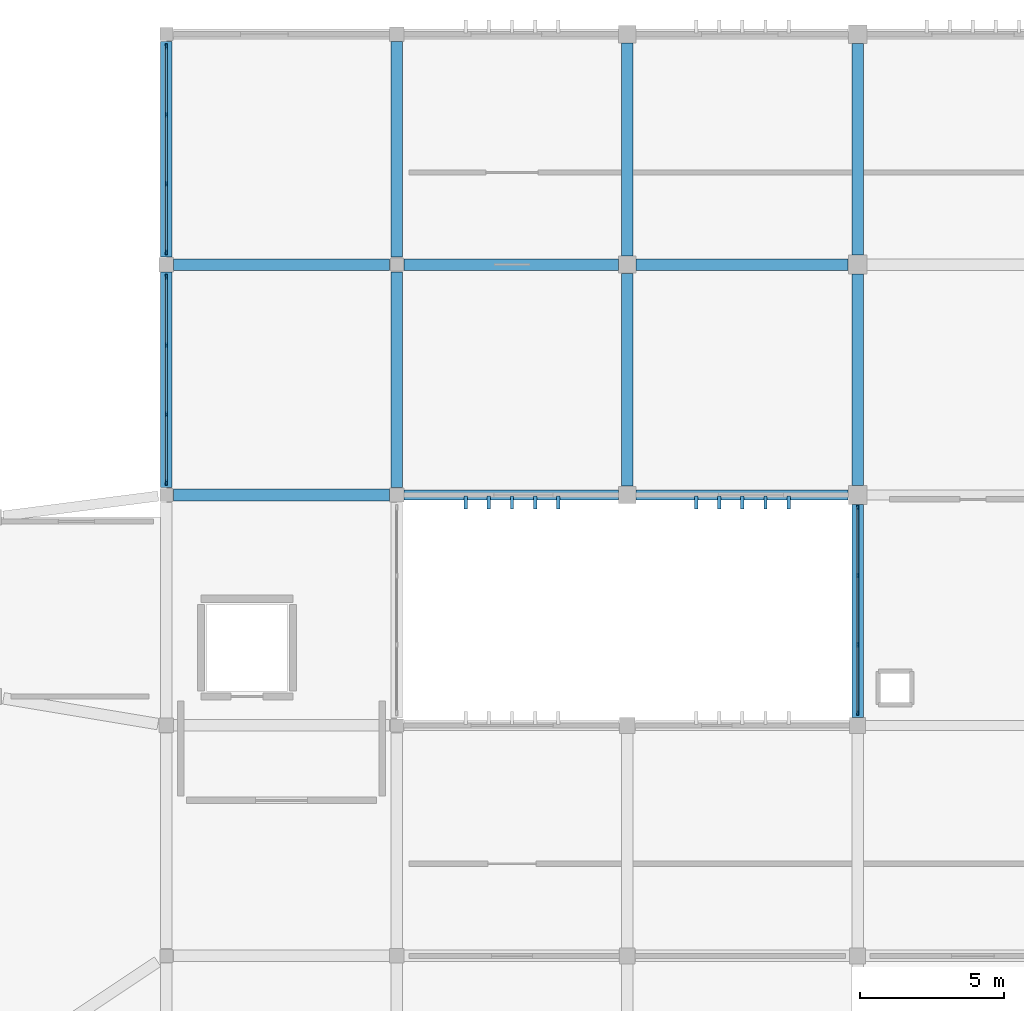
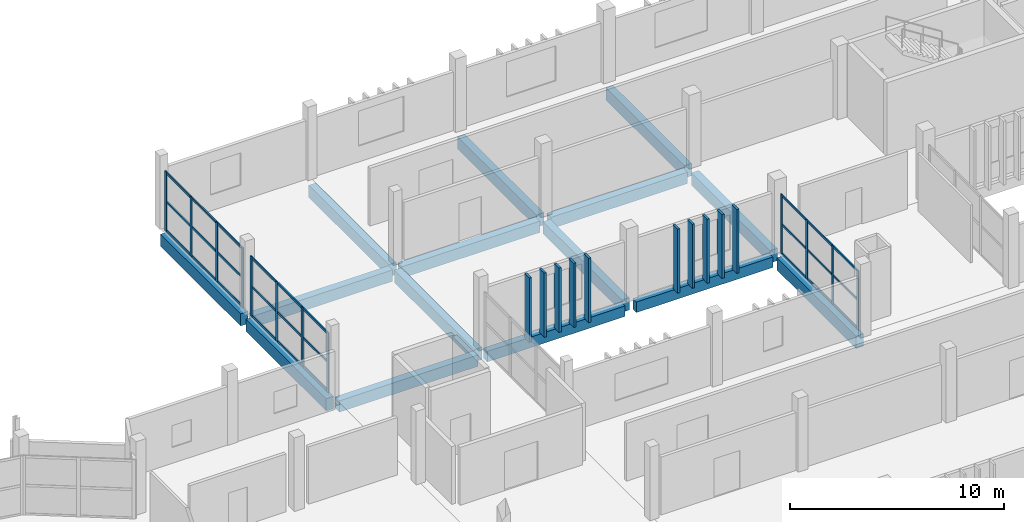
# One storey, part 14 of 63: 49 members, 15 beams, 3 elements without a shape of their own.
"""IFC4 building model written with IfcOpenShell, lengths in metres."""

from ifc_helpers import new_model, si_unit, direction, frame, origin, origin_2d, place, context, subcontext, project, spatial, rectangle, extrude, material, layer, layer_set, material_profile, profile_set, type_object, element, aggregate, save


model = new_model("IFC4")

# Units and contexts
model_context = context("Model", 3, precision=1e-05, world=origin(), true_north=direction((0.0, 1.0)))
body_context = subcontext(model_context, "Body", "Model", "MODEL_VIEW")
ifc_project = project(units=[si_unit("LENGTHUNIT", "METRE"), si_unit("AREAUNIT", "SQUARE_METRE"), si_unit("VOLUMEUNIT", "CUBIC_METRE"), si_unit("PLANEANGLEUNIT", "RADIAN"), si_unit("MASSUNIT", "GRAM", prefix="KILO")], contexts=[model_context])

# Site, building, storey
site_placement = place(None, origin())
site = spatial("IfcSite", under=ifc_project, at=site_placement, CompositionType="ELEMENT")
building_placement = place(site_placement, origin())
building = spatial("IfcBuilding", under=site, at=building_placement, Name="Jelvoka-Kovrelna Polytechnic", CompositionType="ELEMENT")
storey_placement = place(building_placement, frame((0.0, 0.0, 18.0)))
storey = spatial("IfcBuildingStorey", under=building, at=storey_placement, Name="L05", CompositionType="ELEMENT", Elevation=18.0)

# Beams
ifc_material_1 = material(Name="Concrete C40/50", Category="concrete")
ifc_material_profile_1 = material_profile(ifc_material_1, rectangle(XDim=0.39990234375, YDim=0.64990234375, at=origin_2d()), Name="RC 400x650")
ifc_profile_set_1 = profile_set([ifc_material_profile_1], Name="Concrete C40/50")
beam_type_1 = type_object("IfcBeamType", Name="Beam_RC_400x650", PredefinedType="BEAM", material=ifc_profile_set_1)
beam_1_placement = place(storey_placement, frame((56.2548828125, 64.0, -0.574951171875), z_axis=(1.0, 0.0, 0.0), x_axis=(0.0, 1.0, 0.0)))
element("IfcBeam", 1, at=beam_1_placement, inside=storey, type_object=beam_type_1, Name="L05 beam 1512", PredefinedType="BEAM", context=body_context, shape_type="SweptSolid", body=[
    extrude(rectangle(XDim=0.39990234375, YDim=0.64990234375, at=origin_2d()), origin(), (0.0, 0.0, 1.0), 7.440185546875),
])
beam_2_placement = place(storey_placement, frame((64.304931640625, 64.0, -0.574951171875), z_axis=(1.0, 0.0, 0.0), x_axis=(0.0, 1.0, 0.0)))
element("IfcBeam", 2, at=beam_2_placement, inside=storey, type_object=beam_type_1, Name="L05 beam 1513", PredefinedType="BEAM", context=body_context, shape_type="SweptSolid", body=[
    extrude(rectangle(XDim=0.39990234375, YDim=0.64990234375, at=origin_2d()), origin(), (0.0, 0.0, 1.0), 7.364990234375),
])
for number, where, z_axis, x_axis, name in (
    (3, (48.2548828125, 56.0, -0.574951171875), (1.0, 0.0, 0.0), (0.0, 1.0, 0.0), "L05 beam 1594"),
    (4, (48.2548828125, 64.0, -0.574951171875), (1.0, 0.0, 0.0), (0.0, 1.0, 0.0), "L05 beam 1595"),
):
    element("IfcBeam", number, at=place(storey_placement, frame(where, z_axis=z_axis, x_axis=x_axis)), inside=storey, type_object=beam_type_1, Name=name, PredefinedType="BEAM", context=body_context, shape_type="SweptSolid", body=[
        extrude(rectangle(XDim=0.39990234375, YDim=0.64990234375, at=origin_2d()), origin(), (0.0, 0.0, 1.0), 7.490234375),
    ])
ifc_material_2 = material(Name="Concrete C40/50", Category="concrete")
ifc_material_profile_2 = material_profile(ifc_material_2, rectangle(XDim=0.39990234375, YDim=0.699951171875, at=origin_2d()), Name="RC 400x700")
ifc_profile_set_2 = profile_set([ifc_material_profile_2], Name="Concrete C40/50")
beam_type_2 = type_object("IfcBeamType", Name="Beam_RC_400x700", PredefinedType="BEAM", material=ifc_profile_set_2)
for number, where, z_axis, x_axis, name in (
    (5, (56.0, 56.2548828125, -0.60009765625), (0.0, 1.0, 0.0), (-1.0, 0.0, 0.0), "L05 beam 1525"),
    (6, (56.0, 64.2548828125, -0.60009765625), (0.0, 1.0, 0.0), (-1.0, 0.0, 0.0), "L05 beam 1526"),
):
    element("IfcBeam", number, at=place(storey_placement, frame(where, z_axis=z_axis, x_axis=x_axis)), inside=storey, type_object=beam_type_2, Name=name, PredefinedType="BEAM", context=body_context, shape_type="SweptSolid", body=[
        extrude(rectangle(XDim=0.39990234375, YDim=0.699951171875, at=origin_2d()), origin(), (0.0, 0.0, 1.0), 7.490234375),
    ])
for number, where, z_axis, x_axis, name in (
    (7, (64.0, 56.304931640625, -0.60009765625), (0.0, 1.0, 0.0), (-1.0, 0.0, 0.0), "L05 beam 1527"),
    (8, (64.0, 64.304931640625, -0.60009765625), (0.0, 1.0, 0.0), (-1.0, 0.0, 0.0), "L05 beam 1528"),
):
    element("IfcBeam", number, at=place(storey_placement, frame(where, z_axis=z_axis, x_axis=x_axis)), inside=storey, type_object=beam_type_2, Name=name, PredefinedType="BEAM", context=body_context, shape_type="SweptSolid", body=[
        extrude(rectangle(XDim=0.39990234375, YDim=0.699951171875, at=origin_2d()), origin(), (0.0, 0.0, 1.0), 7.39013671875),
    ])
for number, where, z_axis, x_axis, name in (
    (9, (72.0, 56.330078125, -0.60009765625), (0.0, 1.0, 0.0), (-1.0, 0.0, 0.0), "L05 beam 1529"),
    (10, (72.0, 64.330078125, -0.60009765625), (0.0, 1.0, 0.0), (-1.0, 0.0, 0.0), "L05 beam 1530"),
):
    element("IfcBeam", number, at=place(storey_placement, frame(where, z_axis=z_axis, x_axis=x_axis)), inside=storey, type_object=beam_type_2, Name=name, PredefinedType="BEAM", context=body_context, shape_type="SweptSolid", body=[
        extrude(rectangle(XDim=0.39990234375, YDim=0.699951171875, at=origin_2d()), origin(), (0.0, 0.0, 1.0), 7.33984375),
    ])
for number, where, z_axis, x_axis, name in (
    (11, (48.0, 56.2548828125, -0.60009765625), (0.0, 1.0, 0.0), (-1.0, 0.0, 0.0), "L05 beam 1601"),
    (12, (48.0, 64.2548828125, -0.60009765625), (0.0, 1.0, 0.0), (-1.0, 0.0, 0.0), "L05 beam 1602"),
):
    element("IfcBeam", number, at=place(storey_placement, frame(where, z_axis=z_axis, x_axis=x_axis)), inside=storey, type_object=beam_type_2, Name=name, PredefinedType="BEAM", context=body_context, shape_type="SweptSolid", body=[
        extrude(rectangle(XDim=0.39990234375, YDim=0.699951171875, at=origin_2d()), origin(), (0.0, 0.0, 1.0), 7.490234375),
    ])
beam_3_placement = place(storey_placement, frame((72.0, 48.280029296875, -0.60009765625), z_axis=(0.0, 1.0, 0.0), x_axis=(-1.0, 0.0, 0.0)))
element("IfcBeam", 13, at=beam_3_placement, inside=storey, type_object=beam_type_2, Name="L05 beam 1610", PredefinedType="BEAM", context=body_context, shape_type="SweptSolid", body=[
    extrude(rectangle(XDim=0.39990234375, YDim=0.699951171875, at=origin_2d()), origin(), (0.0, 0.0, 1.0), 7.389892578125),
])

# Members
ifc_material_3 = material(Name="Precast concrete C40/50", Category="concrete")
ifc_material_profile_3 = material_profile(ifc_material_3, rectangle(XDim=0.1201171875, YDim=0.449951171875, at=origin_2d()), Name="PC 120x450")
ifc_profile_set_3 = profile_set([ifc_material_profile_3], Name="Precast concrete C40/50")
member_type_1 = type_object("IfcMemberType", Name="Louvre_Fin_120x450", PredefinedType="USERDEFINED", material=ifc_profile_set_3)
for number, where, z_axis, x_axis, name in (
    (14, (58.39990234375, 55.735107421875, -0.27001953125), (0.0, 0.0, 1.0), (1.0, 0.0, 0.0), "L05 B3 south vertical solar louvre fin 1781"),
    (15, (59.199951171875, 55.735107421875, -0.27001953125), (0.0, 0.0, 1.0), (1.0, 0.0, 0.0), "L05 B3 south vertical solar louvre fin 1782"),
    (16, (60.0, 55.735107421875, -0.27001953125), (0.0, 0.0, 1.0), (1.0, 0.0, 0.0), "L05 B3 south vertical solar louvre fin 1783"),
    (17, (60.800048828125, 55.735107421875, -0.27001953125), (0.0, 0.0, 1.0), (1.0, 0.0, 0.0), "L05 B3 south vertical solar louvre fin 1784"),
    (18, (61.60009765625, 55.735107421875, -0.27001953125), (0.0, 0.0, 1.0), (1.0, 0.0, 0.0), "L05 B3 south vertical solar louvre fin 1785"),
):
    element("IfcMember", number, at=place(storey_placement, frame(where, z_axis=z_axis, x_axis=x_axis)), inside=storey, type_object=member_type_1, Name=name, ObjectType="SUNSHADE", PredefinedType="USERDEFINED", context=body_context, shape_type="SweptSolid", body=[
        extrude(rectangle(XDim=0.1201171875, YDim=0.449951171875, at=origin_2d()), origin(), (0.0, 0.0, 1.0), 3.669921875),
    ])
for number, where, z_axis, x_axis, name in (
    (19, (66.39990234375, 55.735107421875, -0.27001953125), (0.0, 0.0, 1.0), (1.0, 0.0, 0.0), "L05 B3 south vertical solar louvre fin 1791"),
    (20, (67.199951171875, 55.735107421875, -0.27001953125), (0.0, 0.0, 1.0), (1.0, 0.0, 0.0), "L05 B3 south vertical solar louvre fin 1792"),
    (21, (68.0, 55.735107421875, -0.27001953125), (0.0, 0.0, 1.0), (1.0, 0.0, 0.0), "L05 B3 south vertical solar louvre fin 1793"),
    (22, (68.800048828125, 55.735107421875, -0.27001953125), (0.0, 0.0, 1.0), (1.0, 0.0, 0.0), "L05 B3 south vertical solar louvre fin 1794"),
    (23, (69.60009765625, 55.735107421875, -0.27001953125), (0.0, 0.0, 1.0), (1.0, 0.0, 0.0), "L05 B3 south vertical solar louvre fin 1795"),
):
    element("IfcMember", number, at=place(storey_placement, frame(where, z_axis=z_axis, x_axis=x_axis)), inside=storey, type_object=member_type_1, Name=name, ObjectType="SUNSHADE", PredefinedType="USERDEFINED", context=body_context, shape_type="SweptSolid", body=[
        extrude(rectangle(XDim=0.1201171875, YDim=0.449951171875, at=origin_2d()), origin(), (0.0, 0.0, 1.0), 3.655029296875),
    ])

# Curtain wall, members
ifc_material_4 = material(Name="Anodised aluminium 6063-T6", Category="aluminium")
ifc_layer_1 = layer(ifc_material_4, 0.159912109375)
ifc_layer_set_1 = layer_set([ifc_layer_1], Name="Anodised aluminium 6063-T6")
curtain_wall_type_1 = type_object("IfcCurtainWallType", Name="CW_LinkBridge", PredefinedType="NOTDEFINED", material=ifc_layer_set_1)
curtain_wall_1_placement = place(storey_placement, origin())
curtain_wall_1 = element("IfcCurtainWall", 24, at=curtain_wall_1_placement, inside=storey, type_object=curtain_wall_type_1, Name="L05 glazed curtain wall 146", PredefinedType="NOTDEFINED")
ifc_material_5 = material(Name="Anodised aluminium 6063-T6", Category="aluminium")
ifc_material_profile_4 = material_profile(ifc_material_5, rectangle(XDim=0.06005859375, YDim=0.159912109375, at=origin_2d()), Name="ALU 60x160")
ifc_profile_set_4 = profile_set([ifc_material_profile_4], Name="Anodised aluminium 6063-T6")
member_type_2 = type_object("IfcMemberType", Name="Mullion_M-04", PredefinedType="MULLION", material=ifc_profile_set_4)
member_1_placement = place(storey_placement, frame((72.0, 48.429931640625, -0.02490234375), z_axis=(0.0, 0.0, 1.0), x_axis=(-1.0, 0.0, 0.0)))
member_1 = element("IfcMember", 25, at=member_1_placement, type_object=member_type_2, Name="CW-04 mullion 1", PredefinedType="MULLION", context=body_context, shape_type="SweptSolid", body=[
    extrude(rectangle(XDim=0.06005859375, YDim=0.159912109375, at=origin_2d()), origin(), (0.0, 0.0, 1.0), 3.385009765625),
])
member_2_placement = place(storey_placement, frame((72.0, 50.800048828125, -0.02490234375), z_axis=(0.0, 0.0, 1.0), x_axis=(-1.0, 0.0, 0.0)))
member_2 = element("IfcMember", 26, at=member_2_placement, type_object=member_type_2, Name="CW-04 mullion 2", PredefinedType="MULLION", context=body_context, shape_type="SweptSolid", body=[
    extrude(rectangle(XDim=0.06005859375, YDim=0.159912109375, at=origin_2d()), origin(), (0.0, 0.0, 1.0), 3.385009765625),
])
member_3_placement = place(storey_placement, frame((72.0, 53.199951171875, -0.02490234375), z_axis=(0.0, 0.0, 1.0), x_axis=(-1.0, 0.0, 0.0)))
member_3 = element("IfcMember", 27, at=member_3_placement, type_object=member_type_2, Name="CW-04 mullion 3", PredefinedType="MULLION", context=body_context, shape_type="SweptSolid", body=[
    extrude(rectangle(XDim=0.06005859375, YDim=0.159912109375, at=origin_2d()), origin(), (0.0, 0.0, 1.0), 3.385009765625),
])
member_4_placement = place(storey_placement, frame((72.0, 55.570068359375, -0.02490234375), z_axis=(0.0, 0.0, 1.0), x_axis=(-1.0, 0.0, 0.0)))
member_4 = element("IfcMember", 28, at=member_4_placement, type_object=member_type_2, Name="CW-04 mullion 4", PredefinedType="MULLION", context=body_context, shape_type="SweptSolid", body=[
    extrude(rectangle(XDim=0.06005859375, YDim=0.159912109375, at=origin_2d()), origin(), (0.0, 0.0, 1.0), 3.385009765625),
])

ifc_material_6 = material(Name="Anodised aluminium 6063-T6", Category="aluminium")
ifc_layer_2 = layer(ifc_material_6, 0.179931640625)
ifc_layer_set_2 = layer_set([ifc_layer_2], Name="Anodised aluminium 6063-T6")
curtain_wall_type_2 = type_object("IfcCurtainWallType", Name="CW_Pavilion", PredefinedType="NOTDEFINED", material=ifc_layer_set_2)
curtain_wall_2_placement = place(storey_placement, origin())
curtain_wall_2 = element("IfcCurtainWall", 29, at=curtain_wall_2_placement, inside=storey, type_object=curtain_wall_type_2, Name="L05 glazed curtain wall 154", PredefinedType="NOTDEFINED")
ifc_material_7 = material(Name="Anodised aluminium 6063-T6", Category="aluminium")
ifc_material_profile_5 = material_profile(ifc_material_7, rectangle(XDim=0.06494140625, YDim=0.179931640625, at=origin_2d()), Name="ALU 65x180")
ifc_profile_set_5 = profile_set([ifc_material_profile_5], Name="Anodised aluminium 6063-T6")
member_type_3 = type_object("IfcMemberType", Name="Mullion_M-05", PredefinedType="MULLION", material=ifc_profile_set_5)
member_5_placement = place(storey_placement, frame((48.0, 56.4326171875, -0.02490234375), z_axis=(0.0, 0.0, 1.0), x_axis=(-1.0, 0.0, 0.0)))
member_5 = element("IfcMember", 30, at=member_5_placement, type_object=member_type_3, Name="CW-05 mullion 1", PredefinedType="MULLION", context=body_context, shape_type="SweptSolid", body=[
    extrude(rectangle(XDim=0.06494140625, YDim=0.179931640625, at=origin_2d()), origin(), (0.0, 0.0, 1.0), 3.400146484375),
])
member_6_placement = place(storey_placement, frame((48.0, 58.800048828125, -0.02490234375), z_axis=(0.0, 0.0, 1.0), x_axis=(-1.0, 0.0, 0.0)))
member_6 = element("IfcMember", 31, at=member_6_placement, type_object=member_type_3, Name="CW-05 mullion 2", PredefinedType="MULLION", context=body_context, shape_type="SweptSolid", body=[
    extrude(rectangle(XDim=0.06494140625, YDim=0.179931640625, at=origin_2d()), origin(), (0.0, 0.0, 1.0), 3.400146484375),
])
member_7_placement = place(storey_placement, frame((48.0, 61.199951171875, -0.02490234375), z_axis=(0.0, 0.0, 1.0), x_axis=(-1.0, 0.0, 0.0)))
member_7 = element("IfcMember", 32, at=member_7_placement, type_object=member_type_3, Name="CW-05 mullion 3", PredefinedType="MULLION", context=body_context, shape_type="SweptSolid", body=[
    extrude(rectangle(XDim=0.06494140625, YDim=0.179931640625, at=origin_2d()), origin(), (0.0, 0.0, 1.0), 3.400146484375),
])
member_8_placement = place(storey_placement, frame((48.0, 63.5673828125, -0.02490234375), z_axis=(0.0, 0.0, 1.0), x_axis=(-1.0, 0.0, 0.0)))
member_8 = element("IfcMember", 33, at=member_8_placement, type_object=member_type_3, Name="CW-05 mullion 4", PredefinedType="MULLION", context=body_context, shape_type="SweptSolid", body=[
    extrude(rectangle(XDim=0.06494140625, YDim=0.179931640625, at=origin_2d()), origin(), (0.0, 0.0, 1.0), 3.400146484375),
])

curtain_wall_3_placement = place(storey_placement, origin())
curtain_wall_3 = element("IfcCurtainWall", 34, at=curtain_wall_3_placement, inside=storey, type_object=curtain_wall_type_2, Name="L05 glazed curtain wall 155", PredefinedType="NOTDEFINED")
member_9_placement = place(storey_placement, frame((48.0, 64.4326171875, -0.02490234375), z_axis=(0.0, 0.0, 1.0), x_axis=(-1.0, 0.0, 0.0)))
member_9 = element("IfcMember", 35, at=member_9_placement, type_object=member_type_3, Name="CW-05 mullion 1", PredefinedType="MULLION", context=body_context, shape_type="SweptSolid", body=[
    extrude(rectangle(XDim=0.06494140625, YDim=0.179931640625, at=origin_2d()), origin(), (0.0, 0.0, 1.0), 3.400146484375),
])
member_10_placement = place(storey_placement, frame((48.0, 66.800048828125, -0.02490234375), z_axis=(0.0, 0.0, 1.0), x_axis=(-1.0, 0.0, 0.0)))
member_10 = element("IfcMember", 36, at=member_10_placement, type_object=member_type_3, Name="CW-05 mullion 2", PredefinedType="MULLION", context=body_context, shape_type="SweptSolid", body=[
    extrude(rectangle(XDim=0.06494140625, YDim=0.179931640625, at=origin_2d()), origin(), (0.0, 0.0, 1.0), 3.400146484375),
])
member_11_placement = place(storey_placement, frame((48.0, 69.199951171875, -0.02490234375), z_axis=(0.0, 0.0, 1.0), x_axis=(-1.0, 0.0, 0.0)))
member_11 = element("IfcMember", 37, at=member_11_placement, type_object=member_type_3, Name="CW-05 mullion 3", PredefinedType="MULLION", context=body_context, shape_type="SweptSolid", body=[
    extrude(rectangle(XDim=0.06494140625, YDim=0.179931640625, at=origin_2d()), origin(), (0.0, 0.0, 1.0), 3.400146484375),
])
member_12_placement = place(storey_placement, frame((48.0, 71.5673828125, -0.02490234375), z_axis=(0.0, 0.0, 1.0), x_axis=(-1.0, 0.0, 0.0)))
member_12 = element("IfcMember", 38, at=member_12_placement, type_object=member_type_3, Name="CW-05 mullion 4", PredefinedType="MULLION", context=body_context, shape_type="SweptSolid", body=[
    extrude(rectangle(XDim=0.06494140625, YDim=0.179931640625, at=origin_2d()), origin(), (0.0, 0.0, 1.0), 3.400146484375),
])

# Beams
ifc_material_8 = material(Name="Concrete C40/50", Category="concrete")
ifc_material_profile_6 = material_profile(ifc_material_8, rectangle(XDim=0.35009765625, YDim=0.60009765625, at=origin_2d()), Name="RC 350x600")
ifc_profile_set_6 = profile_set([ifc_material_profile_6], Name="Concrete C40/50")
beam_type_3 = type_object("IfcBeamType", Name="Spandrel_RC_350x600", PredefinedType="SPANDREL", material=ifc_profile_set_6)
beam_4_placement = place(storey_placement, frame((56.2548828125, 56.0, -0.550048828125), z_axis=(1.0, 0.0, 0.0), x_axis=(0.0, 1.0, 0.0)))
element("IfcBeam", 39, at=beam_4_placement, inside=storey, type_object=beam_type_3, Name="L05 beam 1505", PredefinedType="SPANDREL", context=body_context, shape_type="SweptSolid", body=[
    extrude(rectangle(XDim=0.35009765625, YDim=0.60009765625, at=origin_2d()), origin(), (0.0, 0.0, 1.0), 7.440185546875),
])
beam_5_placement = place(storey_placement, frame((64.304931640625, 56.0, -0.550048828125), z_axis=(1.0, 0.0, 0.0), x_axis=(0.0, 1.0, 0.0)))
element("IfcBeam", 40, at=beam_5_placement, inside=storey, type_object=beam_type_3, Name="L05 beam 1506", PredefinedType="SPANDREL", context=body_context, shape_type="SweptSolid", body=[
    extrude(rectangle(XDim=0.35009765625, YDim=0.60009765625, at=origin_2d()), origin(), (0.0, 0.0, 1.0), 7.364990234375),
])

# Member
ifc_material_9 = material(Name="Anodised aluminium 6063-T6", Category="aluminium")
ifc_material_profile_7 = material_profile(ifc_material_9, rectangle(XDim=0.06005859375, YDim=0.1201171875, at=origin_2d()), Name="ALU 60x120")
ifc_profile_set_7 = profile_set([ifc_material_profile_7], Name="Anodised aluminium 6063-T6")
member_type_4 = type_object("IfcMemberType", Name="Transom_T-04", PredefinedType="USERDEFINED", material=ifc_profile_set_7)
member_13_placement = place(storey_placement, frame((72.0, 48.4599609375, 0.030029296875), z_axis=(0.0, 1.0, 0.0), x_axis=(-1.0, 0.0, 0.0)))
member_13 = element("IfcMember", 41, at=member_13_placement, type_object=member_type_4, Name="CW-04 transom 1.1", ObjectType="TRANSOM", PredefinedType="USERDEFINED", context=body_context, shape_type="SweptSolid", body=[
    extrude(rectangle(XDim=0.06005859375, YDim=0.1201171875, at=origin_2d()), origin(), (0.0, 0.0, 1.0), 2.31005859375),
])

member_14_placement = place(storey_placement, frame((72.0, 48.4599609375, 1.66748046875), z_axis=(0.0, 1.0, 0.0), x_axis=(-1.0, 0.0, 0.0)))
member_14 = element("IfcMember", 42, at=member_14_placement, type_object=member_type_4, Name="CW-04 transom 1.2", ObjectType="TRANSOM", PredefinedType="USERDEFINED", context=body_context, shape_type="SweptSolid", body=[
    extrude(rectangle(XDim=0.06005859375, YDim=0.1201171875, at=origin_2d()), origin(), (0.0, 0.0, 1.0), 2.31005859375),
])

member_15_placement = place(storey_placement, frame((72.0, 48.4599609375, 3.304931640625), z_axis=(0.0, 1.0, 0.0), x_axis=(-1.0, 0.0, 0.0)))
member_15 = element("IfcMember", 43, at=member_15_placement, type_object=member_type_4, Name="CW-04 transom 1.3", ObjectType="TRANSOM", PredefinedType="USERDEFINED", context=body_context, shape_type="SweptSolid", body=[
    extrude(rectangle(XDim=0.06005859375, YDim=0.1201171875, at=origin_2d()), origin(), (0.0, 0.0, 1.0), 2.31005859375),
])

member_16_placement = place(storey_placement, frame((72.0, 50.830078125, 0.030029296875), z_axis=(0.0, 1.0, 0.0), x_axis=(-1.0, 0.0, 0.0)))
member_16 = element("IfcMember", 44, at=member_16_placement, type_object=member_type_4, Name="CW-04 transom 2.1", ObjectType="TRANSOM", PredefinedType="USERDEFINED", context=body_context, shape_type="SweptSolid", body=[
    extrude(rectangle(XDim=0.06005859375, YDim=0.1201171875, at=origin_2d()), origin(), (0.0, 0.0, 1.0), 2.33984375),
])

member_17_placement = place(storey_placement, frame((72.0, 50.830078125, 1.66748046875), z_axis=(0.0, 1.0, 0.0), x_axis=(-1.0, 0.0, 0.0)))
member_17 = element("IfcMember", 45, at=member_17_placement, type_object=member_type_4, Name="CW-04 transom 2.2", ObjectType="TRANSOM", PredefinedType="USERDEFINED", context=body_context, shape_type="SweptSolid", body=[
    extrude(rectangle(XDim=0.06005859375, YDim=0.1201171875, at=origin_2d()), origin(), (0.0, 0.0, 1.0), 2.33984375),
])

member_18_placement = place(storey_placement, frame((72.0, 50.830078125, 3.304931640625), z_axis=(0.0, 1.0, 0.0), x_axis=(-1.0, 0.0, 0.0)))
member_18 = element("IfcMember", 46, at=member_18_placement, type_object=member_type_4, Name="CW-04 transom 2.3", ObjectType="TRANSOM", PredefinedType="USERDEFINED", context=body_context, shape_type="SweptSolid", body=[
    extrude(rectangle(XDim=0.06005859375, YDim=0.1201171875, at=origin_2d()), origin(), (0.0, 0.0, 1.0), 2.33984375),
])

member_19_placement = place(storey_placement, frame((72.0, 53.22998046875, 0.030029296875), z_axis=(0.0, 1.0, 0.0), x_axis=(-1.0, 0.0, 0.0)))
member_19 = element("IfcMember", 47, at=member_19_placement, type_object=member_type_4, Name="CW-04 transom 3.1", ObjectType="TRANSOM", PredefinedType="USERDEFINED", context=body_context, shape_type="SweptSolid", body=[
    extrude(rectangle(XDim=0.06005859375, YDim=0.1201171875, at=origin_2d()), origin(), (0.0, 0.0, 1.0), 2.31005859375),
])

member_20_placement = place(storey_placement, frame((72.0, 53.22998046875, 1.66748046875), z_axis=(0.0, 1.0, 0.0), x_axis=(-1.0, 0.0, 0.0)))
member_20 = element("IfcMember", 48, at=member_20_placement, type_object=member_type_4, Name="CW-04 transom 3.2", ObjectType="TRANSOM", PredefinedType="USERDEFINED", context=body_context, shape_type="SweptSolid", body=[
    extrude(rectangle(XDim=0.06005859375, YDim=0.1201171875, at=origin_2d()), origin(), (0.0, 0.0, 1.0), 2.31005859375),
])

member_21_placement = place(storey_placement, frame((72.0, 53.22998046875, 3.304931640625), z_axis=(0.0, 1.0, 0.0), x_axis=(-1.0, 0.0, 0.0)))
member_21 = element("IfcMember", 49, at=member_21_placement, type_object=member_type_4, Name="CW-04 transom 3.3", ObjectType="TRANSOM", PredefinedType="USERDEFINED", context=body_context, shape_type="SweptSolid", body=[
    extrude(rectangle(XDim=0.06005859375, YDim=0.1201171875, at=origin_2d()), origin(), (0.0, 0.0, 1.0), 2.31005859375),
])

aggregate(curtain_wall_1, [member_1, member_2, member_3, member_4, member_13, member_14, member_15, member_16, member_17, member_18, member_19, member_20, member_21])

ifc_material_10 = material(Name="Anodised aluminium 6063-T6", Category="aluminium")
ifc_material_profile_8 = material_profile(ifc_material_10, rectangle(XDim=0.06494140625, YDim=0.135009765625, at=origin_2d()), Name="ALU 65x135")
ifc_profile_set_8 = profile_set([ifc_material_profile_8], Name="Anodised aluminium 6063-T6")
member_type_5 = type_object("IfcMemberType", Name="Transom_T-05", PredefinedType="USERDEFINED", material=ifc_profile_set_8)
member_22_placement = place(storey_placement, frame((48.0, 56.465087890625, 0.032470703125), z_axis=(0.0, 1.0, 0.0), x_axis=(-1.0, 0.0, 0.0)))
member_22 = element("IfcMember", 50, at=member_22_placement, type_object=member_type_5, Name="CW-05 transom 1.1", ObjectType="TRANSOM", PredefinedType="USERDEFINED", context=body_context, shape_type="SweptSolid", body=[
    extrude(rectangle(XDim=0.06494140625, YDim=0.135009765625, at=origin_2d()), origin(), (0.0, 0.0, 1.0), 2.302490234375),
])

member_23_placement = place(storey_placement, frame((48.0, 56.465087890625, 1.675048828125), z_axis=(0.0, 1.0, 0.0), x_axis=(-1.0, 0.0, 0.0)))
member_23 = element("IfcMember", 51, at=member_23_placement, type_object=member_type_5, Name="CW-05 transom 1.2", ObjectType="TRANSOM", PredefinedType="USERDEFINED", context=body_context, shape_type="SweptSolid", body=[
    extrude(rectangle(XDim=0.06494140625, YDim=0.135009765625, at=origin_2d()), origin(), (0.0, 0.0, 1.0), 2.302490234375),
])

member_24_placement = place(storey_placement, frame((48.0, 56.465087890625, 3.3173828125), z_axis=(0.0, 1.0, 0.0), x_axis=(-1.0, 0.0, 0.0)))
member_24 = element("IfcMember", 52, at=member_24_placement, type_object=member_type_5, Name="CW-05 transom 1.3", ObjectType="TRANSOM", PredefinedType="USERDEFINED", context=body_context, shape_type="SweptSolid", body=[
    extrude(rectangle(XDim=0.06494140625, YDim=0.135009765625, at=origin_2d()), origin(), (0.0, 0.0, 1.0), 2.302490234375),
])

member_25_placement = place(storey_placement, frame((48.0, 58.83251953125, 0.032470703125), z_axis=(0.0, 1.0, 0.0), x_axis=(-1.0, 0.0, 0.0)))
member_25 = element("IfcMember", 53, at=member_25_placement, type_object=member_type_5, Name="CW-05 transom 2.1", ObjectType="TRANSOM", PredefinedType="USERDEFINED", context=body_context, shape_type="SweptSolid", body=[
    extrude(rectangle(XDim=0.06494140625, YDim=0.135009765625, at=origin_2d()), origin(), (0.0, 0.0, 1.0), 2.3349609375),
])

member_26_placement = place(storey_placement, frame((48.0, 58.83251953125, 1.675048828125), z_axis=(0.0, 1.0, 0.0), x_axis=(-1.0, 0.0, 0.0)))
member_26 = element("IfcMember", 54, at=member_26_placement, type_object=member_type_5, Name="CW-05 transom 2.2", ObjectType="TRANSOM", PredefinedType="USERDEFINED", context=body_context, shape_type="SweptSolid", body=[
    extrude(rectangle(XDim=0.06494140625, YDim=0.135009765625, at=origin_2d()), origin(), (0.0, 0.0, 1.0), 2.3349609375),
])

member_27_placement = place(storey_placement, frame((48.0, 58.83251953125, 3.3173828125), z_axis=(0.0, 1.0, 0.0), x_axis=(-1.0, 0.0, 0.0)))
member_27 = element("IfcMember", 55, at=member_27_placement, type_object=member_type_5, Name="CW-05 transom 2.3", ObjectType="TRANSOM", PredefinedType="USERDEFINED", context=body_context, shape_type="SweptSolid", body=[
    extrude(rectangle(XDim=0.06494140625, YDim=0.135009765625, at=origin_2d()), origin(), (0.0, 0.0, 1.0), 2.3349609375),
])

member_28_placement = place(storey_placement, frame((48.0, 61.232421875, 0.032470703125), z_axis=(0.0, 1.0, 0.0), x_axis=(-1.0, 0.0, 0.0)))
member_28 = element("IfcMember", 56, at=member_28_placement, type_object=member_type_5, Name="CW-05 transom 3.1", ObjectType="TRANSOM", PredefinedType="USERDEFINED", context=body_context, shape_type="SweptSolid", body=[
    extrude(rectangle(XDim=0.06494140625, YDim=0.135009765625, at=origin_2d()), origin(), (0.0, 0.0, 1.0), 2.302490234375),
])

member_29_placement = place(storey_placement, frame((48.0, 61.232421875, 1.675048828125), z_axis=(0.0, 1.0, 0.0), x_axis=(-1.0, 0.0, 0.0)))
member_29 = element("IfcMember", 57, at=member_29_placement, type_object=member_type_5, Name="CW-05 transom 3.2", ObjectType="TRANSOM", PredefinedType="USERDEFINED", context=body_context, shape_type="SweptSolid", body=[
    extrude(rectangle(XDim=0.06494140625, YDim=0.135009765625, at=origin_2d()), origin(), (0.0, 0.0, 1.0), 2.302490234375),
])

member_30_placement = place(storey_placement, frame((48.0, 61.232421875, 3.3173828125), z_axis=(0.0, 1.0, 0.0), x_axis=(-1.0, 0.0, 0.0)))
member_30 = element("IfcMember", 58, at=member_30_placement, type_object=member_type_5, Name="CW-05 transom 3.3", ObjectType="TRANSOM", PredefinedType="USERDEFINED", context=body_context, shape_type="SweptSolid", body=[
    extrude(rectangle(XDim=0.06494140625, YDim=0.135009765625, at=origin_2d()), origin(), (0.0, 0.0, 1.0), 2.302490234375),
])

aggregate(curtain_wall_2, [member_5, member_6, member_7, member_8, member_22, member_23, member_24, member_25, member_26, member_27, member_28, member_29, member_30])

member_31_placement = place(storey_placement, frame((48.0, 64.465087890625, 0.032470703125), z_axis=(0.0, 1.0, 0.0), x_axis=(-1.0, 0.0, 0.0)))
member_31 = element("IfcMember", 59, at=member_31_placement, type_object=member_type_5, Name="CW-05 transom 1.1", ObjectType="TRANSOM", PredefinedType="USERDEFINED", context=body_context, shape_type="SweptSolid", body=[
    extrude(rectangle(XDim=0.06494140625, YDim=0.135009765625, at=origin_2d()), origin(), (0.0, 0.0, 1.0), 2.302490234375),
])

member_32_placement = place(storey_placement, frame((48.0, 64.465087890625, 1.675048828125), z_axis=(0.0, 1.0, 0.0), x_axis=(-1.0, 0.0, 0.0)))
member_32 = element("IfcMember", 60, at=member_32_placement, type_object=member_type_5, Name="CW-05 transom 1.2", ObjectType="TRANSOM", PredefinedType="USERDEFINED", context=body_context, shape_type="SweptSolid", body=[
    extrude(rectangle(XDim=0.06494140625, YDim=0.135009765625, at=origin_2d()), origin(), (0.0, 0.0, 1.0), 2.302490234375),
])

member_33_placement = place(storey_placement, frame((48.0, 64.465087890625, 3.3173828125), z_axis=(0.0, 1.0, 0.0), x_axis=(-1.0, 0.0, 0.0)))
member_33 = element("IfcMember", 61, at=member_33_placement, type_object=member_type_5, Name="CW-05 transom 1.3", ObjectType="TRANSOM", PredefinedType="USERDEFINED", context=body_context, shape_type="SweptSolid", body=[
    extrude(rectangle(XDim=0.06494140625, YDim=0.135009765625, at=origin_2d()), origin(), (0.0, 0.0, 1.0), 2.302490234375),
])

member_34_placement = place(storey_placement, frame((48.0, 66.83251953125, 0.032470703125), z_axis=(0.0, 1.0, 0.0), x_axis=(-1.0, 0.0, 0.0)))
member_34 = element("IfcMember", 62, at=member_34_placement, type_object=member_type_5, Name="CW-05 transom 2.1", ObjectType="TRANSOM", PredefinedType="USERDEFINED", context=body_context, shape_type="SweptSolid", body=[
    extrude(rectangle(XDim=0.06494140625, YDim=0.135009765625, at=origin_2d()), origin(), (0.0, 0.0, 1.0), 2.3349609375),
])

member_35_placement = place(storey_placement, frame((48.0, 66.83251953125, 1.675048828125), z_axis=(0.0, 1.0, 0.0), x_axis=(-1.0, 0.0, 0.0)))
member_35 = element("IfcMember", 63, at=member_35_placement, type_object=member_type_5, Name="CW-05 transom 2.2", ObjectType="TRANSOM", PredefinedType="USERDEFINED", context=body_context, shape_type="SweptSolid", body=[
    extrude(rectangle(XDim=0.06494140625, YDim=0.135009765625, at=origin_2d()), origin(), (0.0, 0.0, 1.0), 2.3349609375),
])

member_36_placement = place(storey_placement, frame((48.0, 66.83251953125, 3.3173828125), z_axis=(0.0, 1.0, 0.0), x_axis=(-1.0, 0.0, 0.0)))
member_36 = element("IfcMember", 64, at=member_36_placement, type_object=member_type_5, Name="CW-05 transom 2.3", ObjectType="TRANSOM", PredefinedType="USERDEFINED", context=body_context, shape_type="SweptSolid", body=[
    extrude(rectangle(XDim=0.06494140625, YDim=0.135009765625, at=origin_2d()), origin(), (0.0, 0.0, 1.0), 2.3349609375),
])

member_37_placement = place(storey_placement, frame((48.0, 69.232421875, 0.032470703125), z_axis=(0.0, 1.0, 0.0), x_axis=(-1.0, 0.0, 0.0)))
member_37 = element("IfcMember", 65, at=member_37_placement, type_object=member_type_5, Name="CW-05 transom 3.1", ObjectType="TRANSOM", PredefinedType="USERDEFINED", context=body_context, shape_type="SweptSolid", body=[
    extrude(rectangle(XDim=0.06494140625, YDim=0.135009765625, at=origin_2d()), origin(), (0.0, 0.0, 1.0), 2.302490234375),
])

member_38_placement = place(storey_placement, frame((48.0, 69.232421875, 1.675048828125), z_axis=(0.0, 1.0, 0.0), x_axis=(-1.0, 0.0, 0.0)))
member_38 = element("IfcMember", 66, at=member_38_placement, type_object=member_type_5, Name="CW-05 transom 3.2", ObjectType="TRANSOM", PredefinedType="USERDEFINED", context=body_context, shape_type="SweptSolid", body=[
    extrude(rectangle(XDim=0.06494140625, YDim=0.135009765625, at=origin_2d()), origin(), (0.0, 0.0, 1.0), 2.302490234375),
])

member_39_placement = place(storey_placement, frame((48.0, 69.232421875, 3.3173828125), z_axis=(0.0, 1.0, 0.0), x_axis=(-1.0, 0.0, 0.0)))
member_39 = element("IfcMember", 67, at=member_39_placement, type_object=member_type_5, Name="CW-05 transom 3.3", ObjectType="TRANSOM", PredefinedType="USERDEFINED", context=body_context, shape_type="SweptSolid", body=[
    extrude(rectangle(XDim=0.06494140625, YDim=0.135009765625, at=origin_2d()), origin(), (0.0, 0.0, 1.0), 2.302490234375),
])

aggregate(curtain_wall_3, [member_9, member_10, member_11, member_12, member_31, member_32, member_33, member_34, member_35, member_36, member_37, member_38, member_39])

save(model, "model.ifc")
